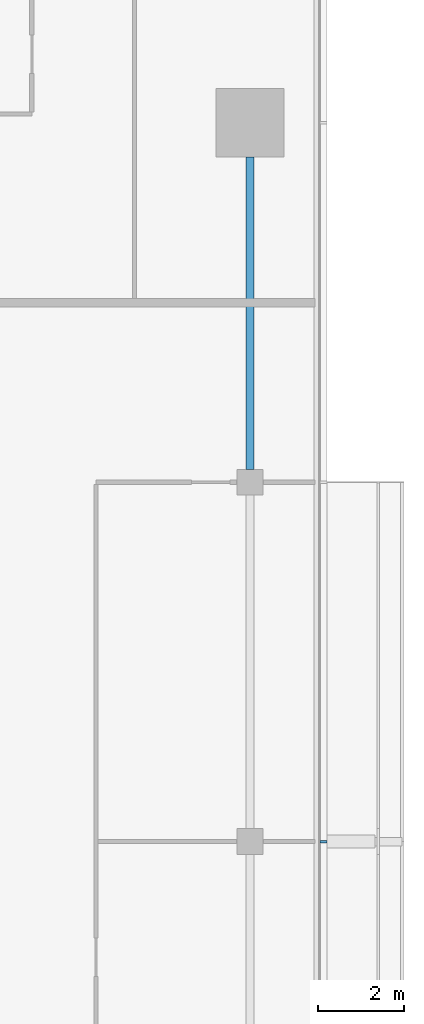
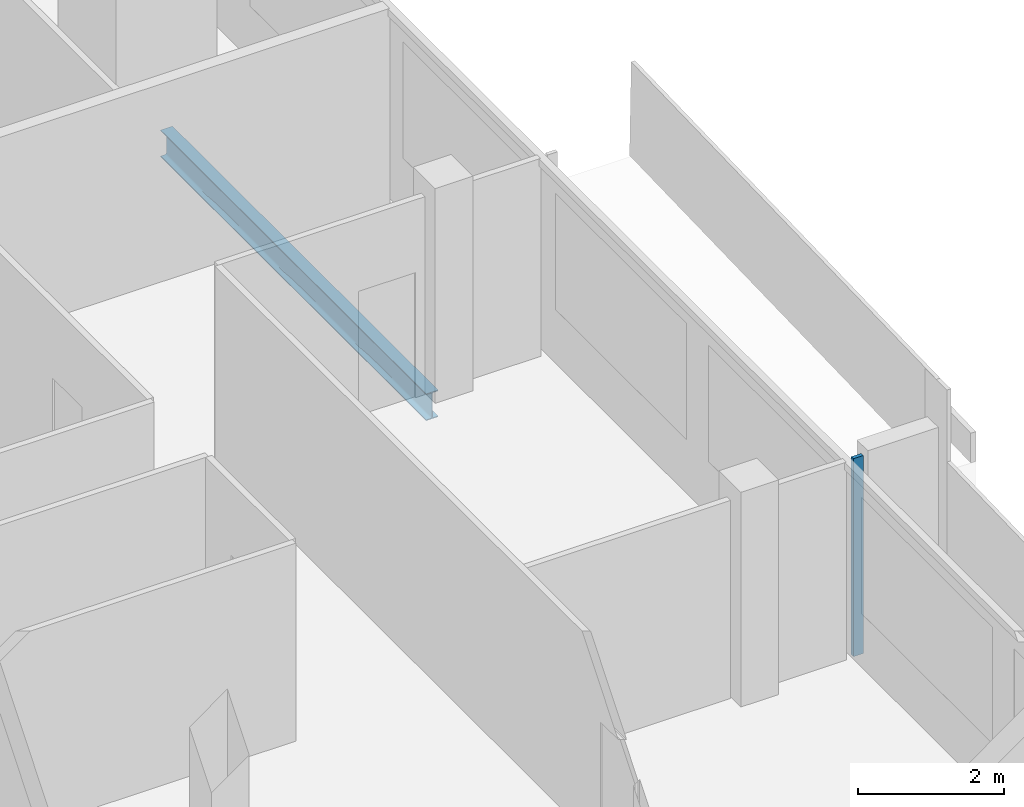
# One storey, part 12 of 29: 1 beam, 1 member, 1 element without a shape of its own.
"""IFC4 building model written with IfcOpenShell, lengths in metres."""

from ifc_helpers import new_model, si_unit, direction, frame, origin, origin_2d, place, context, subcontext, project, spatial, rectangle, i_section, extrude, material, material_profile, profile_set, type_object, element, aggregate, save


model = new_model("IFC4")

# Units and contexts
model_context = context("Model", 3, precision=1e-05, world=origin(), true_north=direction((0.0, 1.0)))
body_context = subcontext(model_context, "Body", "Model", "MODEL_VIEW")
ifc_project = project(units=[si_unit("LENGTHUNIT", "METRE"), si_unit("AREAUNIT", "SQUARE_METRE"), si_unit("VOLUMEUNIT", "CUBIC_METRE"), si_unit("PLANEANGLEUNIT", "RADIAN"), si_unit("MASSUNIT", "GRAM", prefix="KILO")], contexts=[model_context])

# Site, building, storey
site_placement = place(None, origin())
site = spatial("IfcSite", under=ifc_project, at=site_placement, CompositionType="ELEMENT")
building_placement = place(site_placement, origin())
building = spatial("IfcBuilding", under=site, at=building_placement, Name="Saffron Gate Tower", CompositionType="ELEMENT")
storey_placement = place(building_placement, frame((0.0, 0.0, 219.89990234375)))
storey = spatial("IfcBuildingStorey", under=building, at=storey_placement, Name="L53", CompositionType="ELEMENT", Elevation=219.89990234375)

# Beam
ifc_material_1 = material(Name="Structural steel S355", Category="steel")
ifc_material_profile_1 = material_profile(ifc_material_1, i_section(OverallWidth=0.18994140625, OverallDepth=0.449951171875, WebThickness=0.009521484375, FlangeThickness=0.0146484375, FilletRadius=0.02099609375, at=origin_2d()))
ifc_profile_set_1 = profile_set([ifc_material_profile_1], Name="Structural steel S355")
beam_type = type_object("IfcBeamType", Name="B7 IPE 450", PredefinedType="SPANDREL", material=ifc_profile_set_1)
beam_placement = place(storey_placement, frame((125.39990234375, 57.300048828125, -0.5048828125), z_axis=(0.0, 1.0, 0.0), x_axis=(-1.0, 0.0, 0.0)))
element("IfcBeam", 1, at=beam_placement, inside=storey, type_object=beam_type, Name="B7 SPANDREL BEAM", PredefinedType="SPANDREL", context=body_context, shape_type="SweptSolid", body=[
    extrude(i_section(OverallWidth=0.18994140625, OverallDepth=0.449951171875, WebThickness=0.009521484375, FlangeThickness=0.0146484375, FilletRadius=0.02099609375, at=origin_2d()), origin(), (0.0, 0.0, 1.0), 7.300048828125),
])

# Curtain wall, member
ifc_material_2 = material(Name="Aluminium, bronze anodised", Category="aluminium")
curtain_wall_type = type_object("IfcCurtainWallType", Name="CWS2 curtain wall side facades", PredefinedType="NOTDEFINED", material=ifc_material_2)
curtain_wall_placement = place(storey_placement, origin())
curtain_wall = element("IfcCurtainWall", 2, at=curtain_wall_placement, inside=storey, type_object=curtain_wall_type, Name="CWS2 run 4", PredefinedType="NOTDEFINED")
ifc_material_profile_2 = material_profile(ifc_material_2, rectangle(XDim=0.159912109375, YDim=0.06005859375, at=origin_2d()))
ifc_profile_set_2 = profile_set([ifc_material_profile_2], Name="Aluminium, bronze anodised")
member_type = type_object("IfcMemberType", Name="CWS2 mullion 60x160", PredefinedType="MULLION", material=ifc_profile_set_2)
member_placement = place(storey_placement, frame((127.1201171875, 48.60009765625, 0.0), z_axis=(0.0, 0.0, 1.0), x_axis=(-1.0, 0.0, 0.0)))
member = element("IfcMember", 3, at=member_placement, type_object=member_type, Name="CWS2 mullion 3", PredefinedType="MULLION", context=body_context, shape_type="SweptSolid", body=[
    extrude(rectangle(XDim=0.159912109375, YDim=0.06005859375, at=origin_2d()), origin(), (0.0, 0.0, 1.0), 3.320068359375),
])
aggregate(curtain_wall, [member])

save(model, "model.ifc")
